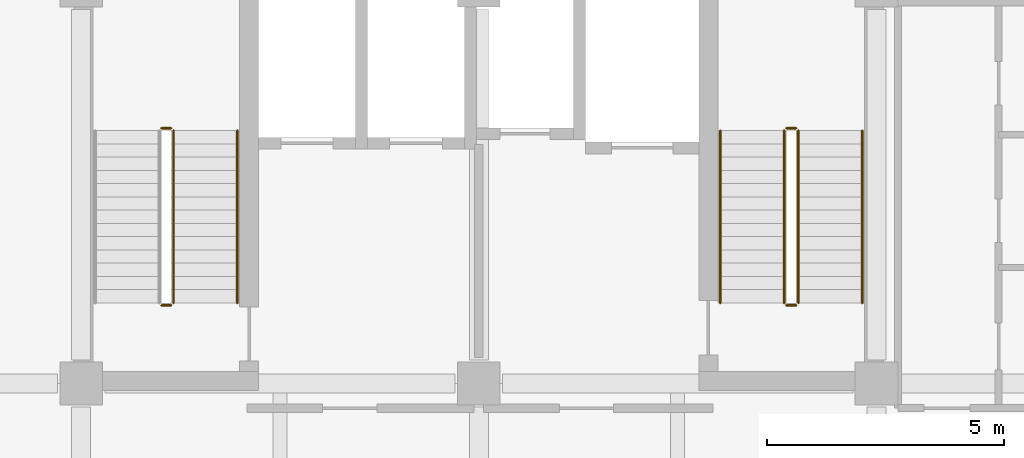
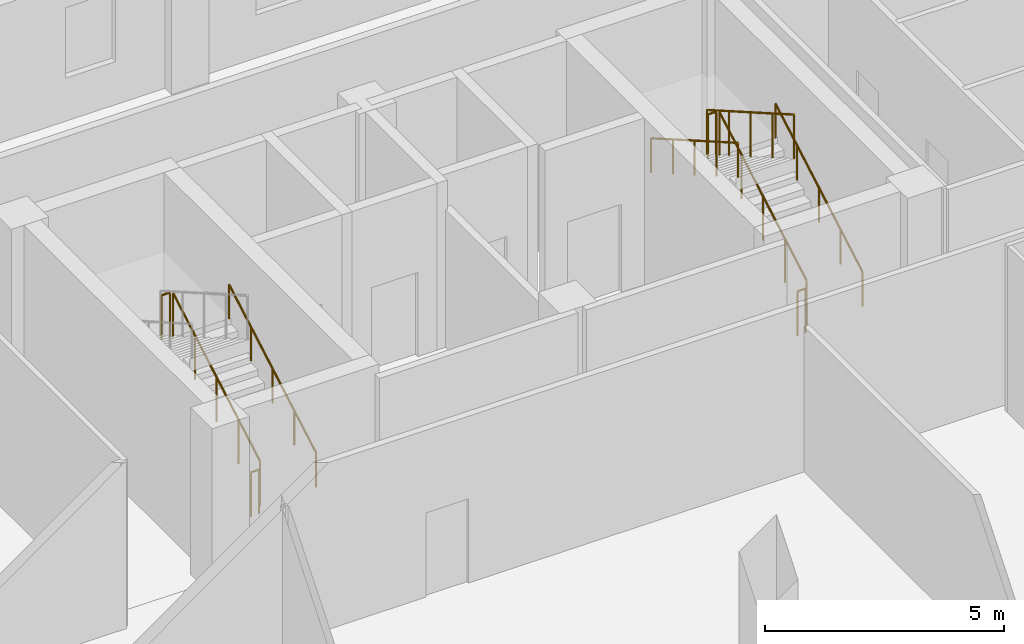
# One storey, part 38 of 38: 10 railings.
"""IFC4 building model written with IfcOpenShell, lengths in metres."""

from ifc_helpers import new_model, si_unit, direction, frame, origin, origin_2d, place, context, subcontext, project, spatial, circle, extrude, material, type_object, element, save


model = new_model("IFC4")

# Units and contexts
model_context = context("Model", 3, precision=1e-05, world=origin(), true_north=direction((0.0, 1.0)))
body_context = subcontext(model_context, "Body", "Model", "MODEL_VIEW")
ifc_project = project(units=[si_unit("LENGTHUNIT", "METRE"), si_unit("AREAUNIT", "SQUARE_METRE"), si_unit("VOLUMEUNIT", "CUBIC_METRE"), si_unit("PLANEANGLEUNIT", "RADIAN"), si_unit("MASSUNIT", "GRAM", prefix="KILO")], contexts=[model_context])

# Site, building, storey
site_placement = place(None, origin())
site = spatial("IfcSite", under=ifc_project, at=site_placement, CompositionType="ELEMENT")
building_placement = place(site_placement, origin())
building = spatial("IfcBuilding", under=site, at=building_placement, Name="Brinegate Botanical Conservatory", CompositionType="ELEMENT")
storey_placement = place(building_placement, frame((0.0, 0.0, 10.199951171875)))
storey = spatial("IfcBuildingStorey", under=building, at=storey_placement, Name="L03", CompositionType="ELEMENT", Elevation=10.199951171875)

# Railings
ifc_material_1 = material(Name="Structural steel Q355B / S355 painted tubular guardrail", Category="steel")
railing_type_1 = type_object("IfcRailingType", Name="Rail_ST-GRD", PredefinedType="GUARDRAIL", material=ifc_material_1)
railing_1_placement = place(storey_placement, frame((140.75, 96.89990234375, 0.16064453125)))
element("IfcRailing", 1, at=railing_1_placement, inside=storey, type_object=railing_type_1, Name="L03 ST1 stair guard 1", PredefinedType="GUARDRAIL", context=body_context, shape_type="SweptSolid", body=[
    extrude(circle(Radius=0.02392578125, at=origin_2d()), frame((0.0, 0.0, 1.1259765625), z_axis=(0.0, 0.867289372828, 0.497804322781), x_axis=(-1.0, 0.0, 0.0)), (0.0, 0.0, 1.0), 4.197021484375),
    extrude(circle(Radius=0.02099609375, at=origin_2d()), origin(), (0.0, 0.0, 1.0), 1.101806640625),
    extrude(circle(Radius=0.02099609375, at=origin_2d()), frame((0.0, 0.91015625, 0.5224609375)), (0.0, 0.0, 1.0), 1.101806640625),
    extrude(circle(Radius=0.02099609375, at=origin_2d()), frame((0.0, 1.820068359375, 1.044677734375)), (0.0, 0.0, 1.0), 1.101806640625),
    extrude(circle(Radius=0.02099609375, at=origin_2d()), frame((0.0, 2.72998046875, 1.56689453125)), (0.0, 0.0, 1.0), 1.101806640625),
    extrude(circle(Radius=0.02099609375, at=origin_2d()), frame((0.0, 3.64013671875, 2.08935546875)), (0.0, 0.0, 1.0), 1.101806640625),
])
for number, where, name in (
    (2, (140.699951171875, 100.590087890625, 2.25), "L03 ST1 stair guard 2"),
    (3, (140.699951171875, 96.85009765625, 0.0), "L03 ST1 stair guard 4"),
):
    element("IfcRailing", number, at=place(storey_placement, frame(where)), inside=storey, type_object=railing_type_1, Name=name, PredefinedType="GUARDRAIL", context=body_context, shape_type="SweptSolid", body=[
        extrude(circle(Radius=0.02392578125, at=origin_2d()), frame((0.0, 0.0, 1.1259765625), z_axis=(-1.0, 0.0, 0.0), x_axis=(0.0, -1.0, 0.0)), (0.0, 0.0, 1.0), 0.199951171875),
        extrude(circle(Radius=0.02099609375, at=origin_2d()), origin(), (0.0, 0.0, 1.0), 1.101806640625),
        extrude(circle(Radius=0.02099609375, at=origin_2d()), frame((-0.199951171875, 0.0, 0.0)), (0.0, 0.0, 1.0), 1.101806640625),
    ])
railing_2_placement = place(storey_placement, frame((153.949951171875, 96.89990234375, 0.16064453125)))
element("IfcRailing", 4, at=railing_2_placement, inside=storey, type_object=railing_type_1, Name="L03 ST2 stair guard 1", PredefinedType="GUARDRAIL", context=body_context, shape_type="SweptSolid", body=[
    extrude(circle(Radius=0.02392578125, at=origin_2d()), frame((0.0, 0.0, 1.1259765625), z_axis=(0.0, 0.867289372828, 0.497804322781), x_axis=(-1.0, 0.0, 0.0)), (0.0, 0.0, 1.0), 4.197021484375),
    extrude(circle(Radius=0.02099609375, at=origin_2d()), origin(), (0.0, 0.0, 1.0), 1.101806640625),
    extrude(circle(Radius=0.02099609375, at=origin_2d()), frame((0.0, 0.91015625, 0.5224609375)), (0.0, 0.0, 1.0), 1.101806640625),
    extrude(circle(Radius=0.02099609375, at=origin_2d()), frame((0.0, 1.820068359375, 1.044677734375)), (0.0, 0.0, 1.0), 1.101806640625),
    extrude(circle(Radius=0.02099609375, at=origin_2d()), frame((0.0, 2.72998046875, 1.56689453125)), (0.0, 0.0, 1.0), 1.101806640625),
    extrude(circle(Radius=0.02099609375, at=origin_2d()), frame((0.0, 3.64013671875, 2.08935546875)), (0.0, 0.0, 1.0), 1.101806640625),
])
railing_3_placement = place(storey_placement, frame((153.89990234375, 100.590087890625, 2.25)))
element("IfcRailing", 5, at=railing_3_placement, inside=storey, type_object=railing_type_1, Name="L03 ST2 stair guard 2", PredefinedType="GUARDRAIL", context=body_context, shape_type="SweptSolid", body=[
    extrude(circle(Radius=0.02392578125, at=origin_2d()), frame((0.0, 0.0, 1.1259765625), z_axis=(-1.0, 0.0, 0.0), x_axis=(0.0, -1.0, 0.0)), (0.0, 0.0, 1.0), 0.199951171875),
    extrude(circle(Radius=0.02099609375, at=origin_2d()), origin(), (0.0, 0.0, 1.0), 1.101806640625),
    extrude(circle(Radius=0.02099609375, at=origin_2d()), frame((-0.199951171875, 0.0, 0.0)), (0.0, 0.0, 1.0), 1.101806640625),
])
railing_4_placement = place(storey_placement, frame((153.64990234375, 100.5400390625, 2.41064453125)))
element("IfcRailing", 6, at=railing_4_placement, inside=storey, type_object=railing_type_1, Name="L03 ST2 stair guard 3", PredefinedType="GUARDRAIL", context=body_context, shape_type="SweptSolid", body=[
    extrude(circle(Radius=0.02392578125, at=origin_2d()), frame((0.0, 0.0, 1.1259765625), z_axis=(0.0, -0.867289372828, 0.497804322781), x_axis=(1.0, 0.0, 0.0)), (0.0, 0.0, 1.0), 4.197021484375),
    extrude(circle(Radius=0.02099609375, at=origin_2d()), origin(), (0.0, 0.0, 1.0), 1.101806640625),
    extrude(circle(Radius=0.02099609375, at=origin_2d()), frame((0.0, -0.91015625, 0.5224609375)), (0.0, 0.0, 1.0), 1.101806640625),
    extrude(circle(Radius=0.02099609375, at=origin_2d()), frame((0.0, -1.820068359375, 1.044677734375)), (0.0, 0.0, 1.0), 1.101806640625),
    extrude(circle(Radius=0.02099609375, at=origin_2d()), frame((0.0, -2.72998046875, 1.56689453125)), (0.0, 0.0, 1.0), 1.101806640625),
    extrude(circle(Radius=0.02099609375, at=origin_2d()), frame((0.0, -3.64013671875, 2.08935546875)), (0.0, 0.0, 1.0), 1.101806640625),
])
railing_5_placement = place(storey_placement, frame((153.89990234375, 96.85009765625, 0.0)))
element("IfcRailing", 7, at=railing_5_placement, inside=storey, type_object=railing_type_1, Name="L03 ST2 stair guard 4", PredefinedType="GUARDRAIL", context=body_context, shape_type="SweptSolid", body=[
    extrude(circle(Radius=0.02392578125, at=origin_2d()), frame((0.0, 0.0, 1.1259765625), z_axis=(-1.0, 0.0, 0.0), x_axis=(0.0, -1.0, 0.0)), (0.0, 0.0, 1.0), 0.199951171875),
    extrude(circle(Radius=0.02099609375, at=origin_2d()), origin(), (0.0, 0.0, 1.0), 1.101806640625),
    extrude(circle(Radius=0.02099609375, at=origin_2d()), frame((-0.199951171875, 0.0, 0.0)), (0.0, 0.0, 1.0), 1.101806640625),
])
ifc_material_2 = material(Name="Brushed stainless steel S355 handrail", Category="steel")
railing_type_2 = type_object("IfcRailingType", Name="Rail_ST-HND", PredefinedType="HANDRAIL", material=ifc_material_2)
for number, where, name in (
    (8, (142.10009765625, 96.89990234375, 0.16064453125), "L03 ST1 stair handrail 1"),
    (9, (155.300048828125, 96.89990234375, 0.16064453125), "L03 ST2 stair handrail 1"),
):
    element("IfcRailing", number, at=place(storey_placement, frame(where)), inside=storey, type_object=railing_type_2, Name=name, PredefinedType="HANDRAIL", context=body_context, shape_type="SweptSolid", body=[
        extrude(circle(Radius=0.02392578125, at=origin_2d()), frame((0.0, 0.0, 0.8759765625), z_axis=(0.0, 0.867289372828, 0.497804322781), x_axis=(-1.0, 0.0, 0.0)), (0.0, 0.0, 1.0), 4.197021484375),
        extrude(circle(Radius=0.02099609375, at=origin_2d()), origin(), (0.0, 0.0, 1.0), 0.851806640625),
        extrude(circle(Radius=0.02099609375, at=origin_2d()), frame((0.0, 0.91015625, 0.5224609375)), (0.0, 0.0, 1.0), 0.851806640625),
        extrude(circle(Radius=0.02099609375, at=origin_2d()), frame((0.0, 1.820068359375, 1.044677734375)), (0.0, 0.0, 1.0), 0.851806640625),
        extrude(circle(Radius=0.02099609375, at=origin_2d()), frame((0.0, 2.72998046875, 1.56689453125)), (0.0, 0.0, 1.0), 0.851806640625),
        extrude(circle(Radius=0.02099609375, at=origin_2d()), frame((0.0, 3.64013671875, 2.08935546875)), (0.0, 0.0, 1.0), 0.851806640625),
    ])
railing_6_placement = place(storey_placement, frame((152.300048828125, 100.5400390625, 2.41064453125)))
element("IfcRailing", 10, at=railing_6_placement, inside=storey, type_object=railing_type_2, Name="L03 ST2 stair handrail 2", PredefinedType="HANDRAIL", context=body_context, shape_type="SweptSolid", body=[
    extrude(circle(Radius=0.02392578125, at=origin_2d()), frame((0.0, 0.0, 0.8759765625), z_axis=(0.0, -0.867289372828, 0.497804322781), x_axis=(1.0, 0.0, 0.0)), (0.0, 0.0, 1.0), 4.197021484375),
    extrude(circle(Radius=0.02099609375, at=origin_2d()), origin(), (0.0, 0.0, 1.0), 0.851806640625),
    extrude(circle(Radius=0.02099609375, at=origin_2d()), frame((0.0, -0.91015625, 0.5224609375)), (0.0, 0.0, 1.0), 0.851806640625),
    extrude(circle(Radius=0.02099609375, at=origin_2d()), frame((0.0, -1.820068359375, 1.044677734375)), (0.0, 0.0, 1.0), 0.851806640625),
    extrude(circle(Radius=0.02099609375, at=origin_2d()), frame((0.0, -2.72998046875, 1.56689453125)), (0.0, 0.0, 1.0), 0.851806640625),
    extrude(circle(Radius=0.02099609375, at=origin_2d()), frame((0.0, -3.64013671875, 2.08935546875)), (0.0, 0.0, 1.0), 0.851806640625),
])

save(model, "model.ifc")
